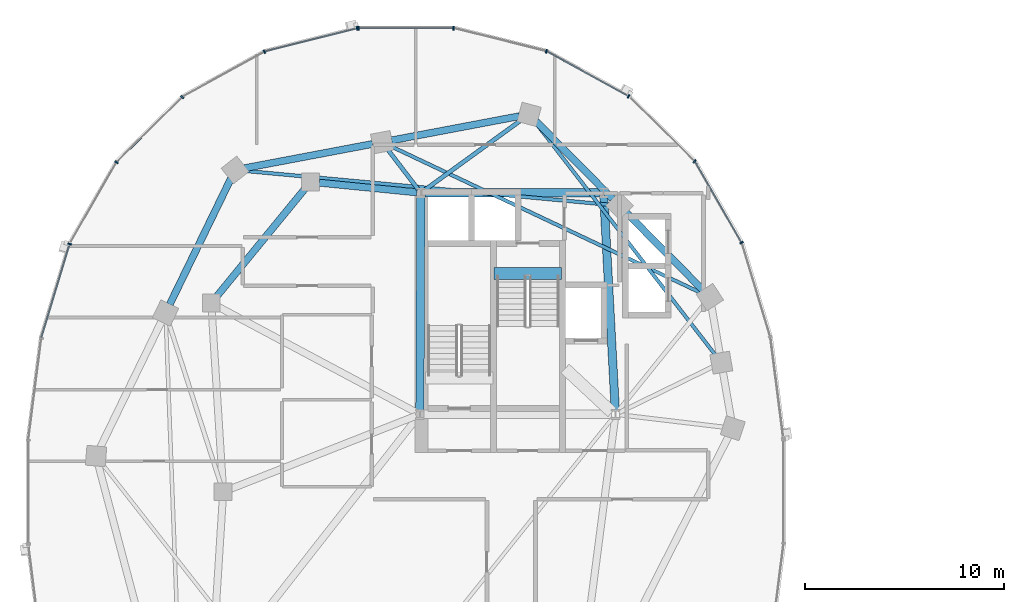
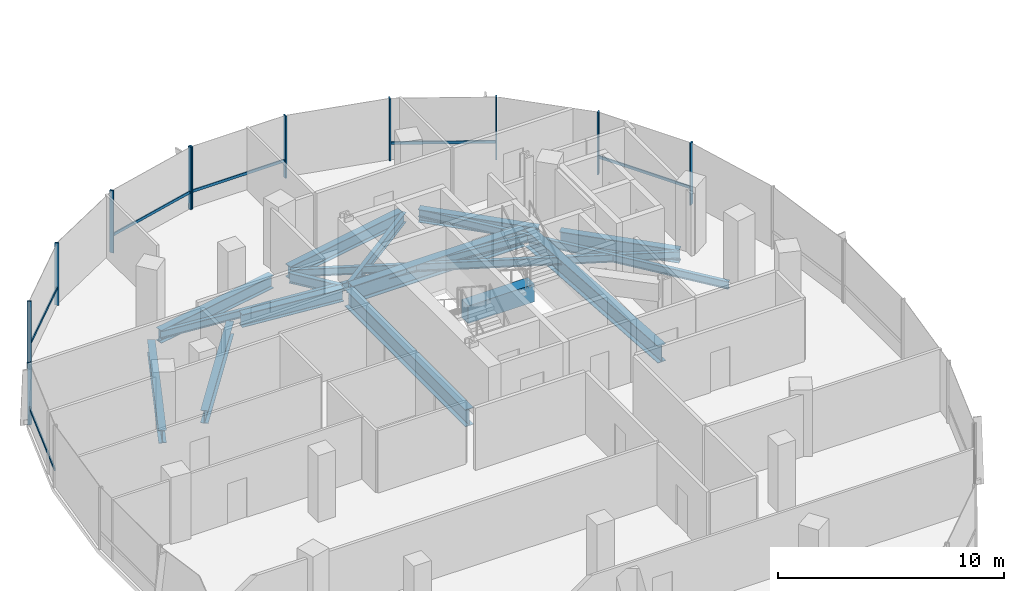
# One storey, part 5 of 23: 17 members, 16 beams, 2 elements without a shape of their own.
"""IFC4 building model written with IfcOpenShell, lengths in metres."""

from ifc_helpers import new_model, si_unit, direction, frame, origin, origin_2d, place, context, subcontext, project, spatial, rectangle, i_section, extrude, material, material_profile, profile_set, type_object, element, aggregate, save


model = new_model("IFC4")

# Units and contexts
model_context = context("Model", 3, precision=1e-05, world=origin(), true_north=direction((0.0, 1.0)))
body_context = subcontext(model_context, "Body", "Model", "MODEL_VIEW")
ifc_project = project(units=[si_unit("LENGTHUNIT", "METRE"), si_unit("AREAUNIT", "SQUARE_METRE"), si_unit("VOLUMEUNIT", "CUBIC_METRE"), si_unit("PLANEANGLEUNIT", "RADIAN"), si_unit("MASSUNIT", "GRAM", prefix="KILO"), si_unit("THERMODYNAMICTEMPERATUREUNIT", "KELVIN"), si_unit("POWERUNIT", "WATT")], contexts=[model_context])

# Site, building, storey
site_placement = place(None, origin())
site = spatial("IfcSite", under=ifc_project, at=site_placement, CompositionType="ELEMENT")
building_placement = place(site_placement, origin())
building = spatial("IfcBuilding", under=site, at=building_placement, Name="Cundina Bronze Exchange", CompositionType="ELEMENT")
storey_placement = place(building_placement, frame((0.0, 0.0, 169.199951171875)))
storey = spatial("IfcBuildingStorey", under=building, at=storey_placement, Name="L44", CompositionType="ELEMENT", Elevation=169.199951171875)

# Beams
ifc_material_1 = material(Name="Concrete C60/75", Category="concrete")
ifc_material_profile_1 = material_profile(ifc_material_1, rectangle(XDim=0.60009765625, YDim=0.949951171875, at=origin_2d()), Name="RC600X950", Category="concrete")
ifc_profile_set_1 = profile_set([ifc_material_profile_1], Name="Concrete C60/75")
beam_type_1 = type_object("IfcBeamType", Name="BM-COUP-RC950", PredefinedType="LINTEL", material=ifc_profile_set_1)
beam_1_placement = place(storey_placement, frame((-27.56005859375, 10.97998046875, -0.474853515625), z_axis=(1.0, 0.0, 0.0), x_axis=(0.0, 1.0, 0.0)))
element("IfcBeam", 1, at=beam_1_placement, inside=storey, type_object=beam_type_1, Name="L44 Stair W2 Landing Header Beam", PredefinedType="LINTEL", context=body_context, shape_type="SweptSolid", body=[
    extrude(rectangle(XDim=0.60009765625, YDim=0.949951171875, at=origin_2d()), origin(), (0.0, 0.0, 1.0), 3.400146484375),
])
ifc_material_2 = material(Name="Steel ASTM A992 Grade 50", Category="steel")
ifc_material_profile_2 = material_profile(ifc_material_2, i_section(OverallWidth=0.2119140625, OverallDepth=0.5439453125, WebThickness=0.01318359375, FlangeThickness=0.021240234375, FilletRadius=0.013916015625, at=origin_2d()), Name="W21X83", Category="steel")
ifc_profile_set_2 = profile_set([ifc_material_profile_2], Name="Steel ASTM A992 Grade 50")
beam_type_2 = type_object("IfcBeamType", Name="BM-FLR-W21A", PredefinedType="BEAM", material=ifc_profile_set_2)
beam_2_placement = place(storey_placement, frame((-31.084716796875, 15.169677734375, -0.511962890625), z_axis=(0.809693047063, 0.586853618492, 0.0), x_axis=(-0.586853618492, 0.809693047063, 0.0)))
element("IfcBeam", 2, at=beam_2_placement, inside=storey, type_object=beam_type_2, Name="L44 Leg W Radial Floor Beam 04", PredefinedType="BEAM", context=body_context, shape_type="SweptSolid", body=[
    extrude(i_section(OverallWidth=0.2119140625, OverallDepth=0.5439453125, WebThickness=0.01318359375, FlangeThickness=0.021240234375, FilletRadius=0.013916015625, at=origin_2d()), origin(), (0.0, 0.0, 1.0), 6.038818359375),
])
beam_3_placement = place(storey_placement, frame((-31.373779296875, 15.2119140625, -0.511962890625), z_axis=(-0.607450107571, 0.794357832977, 0.0), x_axis=(-0.794357832977, -0.607450107571, 0.0)))
element("IfcBeam", 3, at=beam_3_placement, inside=storey, type_object=beam_type_2, Name="L44 Leg W Radial Floor Beam 05", PredefinedType="BEAM", context=body_context, shape_type="SweptSolid", body=[
    extrude(i_section(OverallWidth=0.2119140625, OverallDepth=0.5439453125, WebThickness=0.01318359375, FlangeThickness=0.021240234375, FilletRadius=0.013916015625, at=origin_2d()), origin(), (0.0, 0.0, 1.0), 2.518310546875),
])
ifc_material_profile_3 = material_profile(ifc_material_2, i_section(OverallWidth=0.178955078125, OverallDepth=0.409912109375, WebThickness=0.0087890625, FlangeThickness=0.014404296875, FilletRadius=0.010986328125, at=origin_2d()), Name="W16X45", Category="steel")
ifc_profile_set_3 = profile_set([ifc_material_profile_3], Name="Steel ASTM A992 Grade 50")
beam_type_3 = type_object("IfcBeamType", Name="BM-JST-W16", PredefinedType="JOIST", material=ifc_profile_set_3)
beam_4_placement = place(storey_placement, frame((-16.423583984375, 6.885986328125, -0.445068359375), z_axis=(-0.61208354334, 0.790793105668, 0.0), x_axis=(-0.790793105668, -0.61208354334, 0.0)))
element("IfcBeam", 4, at=beam_4_placement, inside=storey, type_object=beam_type_3, Name="L44 Leg W Lobe Floor Joist 01-04", PredefinedType="JOIST", context=body_context, shape_type="SweptSolid", body=[
    extrude(i_section(OverallWidth=0.178955078125, OverallDepth=0.409912109375, WebThickness=0.0087890625, FlangeThickness=0.014404296875, FilletRadius=0.010986328125, at=origin_2d()), origin(), (0.0, 0.0, 1.0), 14.830810546875),
])
beam_5_placement = place(storey_placement, frame((-17.14111328125, 10.008544921875, -0.445068359375), z_axis=(-0.904074252188, 0.427375416385, 0.0), x_axis=(-0.427375416385, -0.904074252188, 0.0)))
element("IfcBeam", 5, at=beam_5_placement, inside=storey, type_object=beam_type_3, Name="L44 Leg W Lobe Floor Joist 02-05", PredefinedType="JOIST", context=body_context, shape_type="SweptSolid", body=[
    extrude(i_section(OverallWidth=0.178955078125, OverallDepth=0.409912109375, WebThickness=0.0087890625, FlangeThickness=0.014404296875, FilletRadius=0.010986328125, at=origin_2d()), origin(), (0.0, 0.0, 1.0), 17.274658203125),
])
beam_6_placement = place(storey_placement, frame((-21.73583984375, 14.4453125, -0.445068359375), z_axis=(-0.995701840093, 0.092616659595, 0.0), x_axis=(-0.092616659595, -0.995701840093, 0.0)))
element("IfcBeam", 6, at=beam_6_placement, inside=storey, type_object=beam_type_3, Name="L44 Leg W Lobe Floor Joist 03-06", PredefinedType="JOIST", context=body_context, shape_type="SweptSolid", body=[
    extrude(i_section(OverallWidth=0.178955078125, OverallDepth=0.409912109375, WebThickness=0.0087890625, FlangeThickness=0.014404296875, FilletRadius=0.010986328125, at=origin_2d()), origin(), (0.0, 0.0, 1.0), 18.45751953125),
])
ifc_material_profile_4 = material_profile(ifc_material_2, i_section(OverallWidth=0.35498046875, OverallDepth=0.695068359375, WebThickness=0.015380859375, FlangeThickness=0.02490234375, FilletRadius=0.01806640625, at=origin_2d()), Name="W27X146", Category="steel")
ifc_profile_set_4 = profile_set([ifc_material_profile_4], Name="Steel ASTM A992 Grade 50")
beam_type_4 = type_object("IfcBeamType", Name="BM-RING-W27", PredefinedType="USERDEFINED", material=ifc_profile_set_4)
beam_7_placement = place(storey_placement, frame((-31.452880859375, 15.070068359375, -0.58740234375), z_axis=(-0.995123020608, 0.098641643622, 0.0), x_axis=(-0.098641643622, -0.995123020608, 0.0)))
element("IfcBeam", 7, at=beam_7_placement, inside=storey, type_object=beam_type_4, Name="L44 W Inner Structural Ring Girder 01", ObjectType="GIRDER", PredefinedType="USERDEFINED", context=body_context, shape_type="SweptSolid", body=[
    extrude(i_section(OverallWidth=0.35498046875, OverallDepth=0.695068359375, WebThickness=0.015380859375, FlangeThickness=0.02490234375, FilletRadius=0.01806640625, at=origin_2d()), origin(), (0.0, 0.0, 1.0), 4.935302734375),
])
beam_8_placement = place(storey_placement, frame((-37.07763671875, 15.26123046875, -0.58740234375), z_axis=(-0.633912590175, -0.77340469873, 0.0), x_axis=(0.77340469873, -0.633912590175, 0.0)))
element("IfcBeam", 8, at=beam_8_placement, inside=storey, type_object=beam_type_4, Name="L44 W Inner Structural Ring Girder 02", ObjectType="GIRDER", PredefinedType="USERDEFINED", context=body_context, shape_type="SweptSolid", body=[
    extrude(i_section(OverallWidth=0.35498046875, OverallDepth=0.695068359375, WebThickness=0.015380859375, FlangeThickness=0.02490234375, FilletRadius=0.01806640625, at=origin_2d()), origin(), (0.0, 0.0, 1.0), 7.01123046875),
])
beam_9_placement = place(storey_placement, frame((-17.043212890625, 10.14697265625, -0.58740234375), z_axis=(-0.703230112979, 0.710962311378, 0.0), x_axis=(-0.710962311378, -0.703230112979, 0.0)))
element("IfcBeam", 9, at=beam_9_placement, inside=storey, type_object=beam_type_4, Name="L44 W Perimeter Ring Girder 02", ObjectType="GIRDER", PredefinedType="USERDEFINED", context=body_context, shape_type="SweptSolid", body=[
    extrude(i_section(OverallWidth=0.35498046875, OverallDepth=0.695068359375, WebThickness=0.015380859375, FlangeThickness=0.02490234375, FilletRadius=0.01806640625, at=origin_2d()), origin(), (0.0, 0.0, 1.0), 5.493896484375),
])
beam_10_placement = place(storey_placement, frame((-21.59326171875, 14.746826171875, -0.58740234375), z_axis=(-0.703207895705, 0.710984286337, 0.0), x_axis=(-0.710984286337, -0.703207895705, 0.0)))
element("IfcBeam", 10, at=beam_10_placement, inside=storey, type_object=beam_type_4, Name="L44 W Perimeter Ring Girder 03", ObjectType="GIRDER", PredefinedType="USERDEFINED", context=body_context, shape_type="SweptSolid", body=[
    extrude(i_section(OverallWidth=0.35498046875, OverallDepth=0.695068359375, WebThickness=0.015380859375, FlangeThickness=0.02490234375, FilletRadius=0.01806640625, at=origin_2d()), origin(), (0.0, 0.0, 1.0), 5.494140625),
])
beam_11_placement = place(storey_placement, frame((-26.279541015625, 18.9091796875, -0.58740234375), z_axis=(-0.982571532667, -0.185884865421, 0.0), x_axis=(0.185884865421, -0.982571532667, 0.0)))
element("IfcBeam", 11, at=beam_11_placement, inside=storey, type_object=beam_type_4, Name="L44 W Perimeter Ring Girder 04", ObjectType="GIRDER", PredefinedType="USERDEFINED", context=body_context, shape_type="SweptSolid", body=[
    extrude(i_section(OverallWidth=0.35498046875, OverallDepth=0.695068359375, WebThickness=0.015380859375, FlangeThickness=0.02490234375, FilletRadius=0.01806640625, at=origin_2d()), origin(), (0.0, 0.0, 1.0), 6.55517578125),
])
beam_12_placement = place(storey_placement, frame((-33.679443359375, 17.50927734375, -0.58740234375), z_axis=(-0.982572819495, -0.185878063226, 0.0), x_axis=(0.185878063226, -0.982572819495, 0.0)))
element("IfcBeam", 12, at=beam_12_placement, inside=storey, type_object=beam_type_4, Name="L44 W Perimeter Ring Girder 05", ObjectType="GIRDER", PredefinedType="USERDEFINED", context=body_context, shape_type="SweptSolid", body=[
    extrude(i_section(OverallWidth=0.35498046875, OverallDepth=0.695068359375, WebThickness=0.015380859375, FlangeThickness=0.02490234375, FilletRadius=0.01806640625, at=origin_2d()), origin(), (0.0, 0.0, 1.0), 6.555419921875),
])
beam_13_placement = place(storey_placement, frame((-40.8134765625, 15.760986328125, -0.58740234375), z_axis=(-0.437196998825, -0.89936576776, 0.0), x_axis=(0.89936576776, -0.437196998825, 0.0)))
element("IfcBeam", 13, at=beam_13_placement, inside=storey, type_object=beam_type_4, Name="L44 W Perimeter Ring Girder 06", ObjectType="GIRDER", PredefinedType="USERDEFINED", context=body_context, shape_type="SweptSolid", body=[
    extrude(i_section(OverallWidth=0.35498046875, OverallDepth=0.695068359375, WebThickness=0.015380859375, FlangeThickness=0.02490234375, FilletRadius=0.01806640625, at=origin_2d()), origin(), (0.0, 0.0, 1.0), 7.029541015625),
])
ifc_material_profile_5 = material_profile(ifc_material_2, i_section(OverallWidth=0.41796875, OverallDepth=0.927001953125, WebThickness=0.019287109375, FlangeThickness=0.031982421875, FilletRadius=0.02392578125, at=origin_2d()), Name="W36X231", Category="steel")
ifc_profile_set_5 = profile_set([ifc_material_profile_5], Name="Steel ASTM A992 Grade 50")
beam_type_5 = type_object("IfcBeamType", Name="BM-WRN-W36B", PredefinedType="USERDEFINED", material=ifc_profile_set_5)
beam_14_placement = place(storey_placement, frame((-21.4609375, 4.103759765625, -0.703369140625), z_axis=(-0.053739193498, 0.998555005537, 0.0), x_axis=(-0.998555005537, -0.053739193498, 0.0)))
element("IfcBeam", 14, at=beam_14_placement, inside=storey, type_object=beam_type_5, Name="L44 W Core Perimeter Tie Girder 2", ObjectType="GIRDER", PredefinedType="USERDEFINED", context=body_context, shape_type="SweptSolid", body=[
    extrude(i_section(OverallWidth=0.41796875, OverallDepth=0.927001953125, WebThickness=0.019287109375, FlangeThickness=0.031982421875, FilletRadius=0.02392578125, at=origin_2d()), origin(), (0.0, 0.0, 1.0), 10.758056640625),
])
beam_15_placement = place(storey_placement, frame((-22.25390625, 15.050048828125, -0.703369140625), z_axis=(-1.0, 0.0, 0.0), x_axis=(0.0, -1.0, 0.0)))
element("IfcBeam", 15, at=beam_15_placement, inside=storey, type_object=beam_type_5, Name="L44 W Core Perimeter Tie Girder 3", ObjectType="GIRDER", PredefinedType="USERDEFINED", context=body_context, shape_type="SweptSolid", body=[
    extrude(i_section(OverallWidth=0.41796875, OverallDepth=0.927001953125, WebThickness=0.019287109375, FlangeThickness=0.031982421875, FilletRadius=0.02392578125, at=origin_2d()), origin(), (0.0, 0.0, 1.0), 8.7919921875),
])
beam_16_placement = place(storey_placement, frame((-31.2509765625, 14.845947265625, -0.703369140625), z_axis=(-0.004477329608, -0.99998997671, 0.0), x_axis=(0.99998997671, -0.004477329608, 0.0)))
element("IfcBeam", 16, at=beam_16_placement, inside=storey, type_object=beam_type_5, Name="L44 W Core Perimeter Tie Girder 4", ObjectType="GIRDER", PredefinedType="USERDEFINED", context=body_context, shape_type="SweptSolid", body=[
    extrude(i_section(OverallWidth=0.41796875, OverallDepth=0.927001953125, WebThickness=0.019287109375, FlangeThickness=0.031982421875, FilletRadius=0.02392578125, at=origin_2d()), origin(), (0.0, 0.0, 1.0), 10.741943359375),
])

# Curtain wall, members
ifc_material_3 = material(Name="Anodised Bronze Aluminium 6063-T6", Category="aluminium")
curtain_wall_type = type_object("IfcCurtainWallType", Name="CWS-WST-PIN", PredefinedType="NOTDEFINED", material=ifc_material_3)
curtain_wall_1_placement = place(storey_placement, origin())
curtain_wall_1 = element("IfcCurtainWall", 17, at=curtain_wall_1_placement, inside=storey, type_object=curtain_wall_type, Name="L44 CW-04 Curtain Wall Run CWR-L44-W1", PredefinedType="NOTDEFINED")
ifc_material_profile_6 = material_profile(ifc_material_3, rectangle(XDim=0.070068359375, YDim=0.18994140625, at=origin_2d()), Name="AL70X190", Category="aluminium")
ifc_profile_set_6 = profile_set([ifc_material_profile_6], Name="Anodised Bronze Aluminium 6063-T6")
member_type_1 = type_object("IfcMemberType", Name="CWM-MUL-190", PredefinedType="MULLION", material=ifc_profile_set_6)
member_1_placement = place(storey_placement, frame((-15.10205078125, 12.541259765625, 0.0), z_axis=(0.0, 0.0, 1.0), x_axis=(-0.498487739754, 0.866896748936, 0.0)))
member_1 = element("IfcMember", 18, at=member_1_placement, type_object=member_type_1, Name="CW-04 Mullion 3", PredefinedType="MULLION", context=body_context, shape_type="SweptSolid", body=[
    extrude(rectangle(XDim=0.070068359375, YDim=0.18994140625, at=origin_2d()), origin(), (0.0, 0.0, 1.0), 3.360107421875),
])
member_2_placement = place(storey_placement, frame((-17.469482421875, 16.640380859375, 0.0), z_axis=(0.0, 0.0, 1.0), x_axis=(-0.712026045991, 0.702153052995, 0.0)))
member_2 = element("IfcMember", 19, at=member_2_placement, type_object=member_type_1, Name="CW-04 Mullion 4", PredefinedType="MULLION", context=body_context, shape_type="SweptSolid", body=[
    extrude(rectangle(XDim=0.070068359375, YDim=0.18994140625, at=origin_2d()), origin(), (0.0, 0.0, 1.0), 3.360107421875),
])
member_3_placement = place(storey_placement, frame((-20.79345703125, 19.906005859375, 0.0), z_axis=(0.0, 0.0, 1.0), x_axis=(-0.875885937035, 0.482518212408, 0.0)))
member_3 = element("IfcMember", 20, at=member_3_placement, type_object=member_type_1, Name="CW-04 Mullion 5", PredefinedType="MULLION", context=body_context, shape_type="SweptSolid", body=[
    extrude(rectangle(XDim=0.070068359375, YDim=0.18994140625, at=origin_2d()), origin(), (0.0, 0.0, 1.0), 3.360107421875),
])
member_4_placement = place(storey_placement, frame((-24.932373046875, 22.17626953125, 0.0), z_axis=(0.0, 0.0, 1.0), x_axis=(-0.970084240161, 0.242768546132, 0.0)))
member_4 = element("IfcMember", 21, at=member_4_placement, type_object=member_type_1, Name="CW-04 Mullion 6", PredefinedType="MULLION", context=body_context, shape_type="SweptSolid", body=[
    extrude(rectangle(XDim=0.070068359375, YDim=0.18994140625, at=origin_2d()), origin(), (0.0, 0.0, 1.0), 3.360107421875),
])
member_5_placement = place(storey_placement, frame((-29.60595703125, 23.3369140625, 0.0), z_axis=(0.0, 0.0, 1.0), x_axis=(-1.0, 0.0, 0.0)))
member_5 = element("IfcMember", 22, at=member_5_placement, type_object=member_type_1, Name="CW-04 Mullion 7", PredefinedType="MULLION", context=body_context, shape_type="SweptSolid", body=[
    extrude(rectangle(XDim=0.070068359375, YDim=0.18994140625, at=origin_2d()), origin(), (0.0, 0.0, 1.0), 3.360107421875),
])
member_6_placement = place(storey_placement, frame((-34.39404296875, 23.3369140625, 0.0), z_axis=(0.0, 0.0, 1.0), x_axis=(-1.0, 0.0, 0.0)))
member_6 = element("IfcMember", 23, at=member_6_placement, type_object=member_type_1, Name="CW-04 End Mullion", PredefinedType="MULLION", context=body_context, shape_type="SweptSolid", body=[
    extrude(rectangle(XDim=0.070068359375, YDim=0.18994140625, at=origin_2d()), origin(), (0.0, 0.0, 1.0), 3.360107421875),
])

curtain_wall_2_placement = place(storey_placement, origin())
curtain_wall_2 = element("IfcCurtainWall", 24, at=curtain_wall_2_placement, inside=storey, type_object=curtain_wall_type, Name="L44 CW-04 Curtain Wall Run CWR-L44-W2", PredefinedType="NOTDEFINED")
member_7_placement = place(storey_placement, frame((-34.462646484375, 23.32861328125, 0.0), z_axis=(0.0, 0.0, 1.0), x_axis=(-0.970084240161, -0.242768546132, 0.0)))
member_7 = element("IfcMember", 25, at=member_7_placement, type_object=member_type_1, Name="CW-04 Mullion 1", PredefinedType="MULLION", context=body_context, shape_type="SweptSolid", body=[
    extrude(rectangle(XDim=0.070068359375, YDim=0.18994140625, at=origin_2d()), origin(), (0.0, 0.0, 1.0), 3.360107421875),
])
member_8_placement = place(storey_placement, frame((-39.13037109375, 22.151611328125, 0.0), z_axis=(0.0, 0.0, 1.0), x_axis=(-0.875885937035, -0.482518212408, 0.0)))
member_8 = element("IfcMember", 26, at=member_8_placement, type_object=member_type_1, Name="CW-04 Mullion 2", PredefinedType="MULLION", context=body_context, shape_type="SweptSolid", body=[
    extrude(rectangle(XDim=0.070068359375, YDim=0.18994140625, at=origin_2d()), origin(), (0.0, 0.0, 1.0), 3.360107421875),
])
member_9_placement = place(storey_placement, frame((-43.259033203125, 19.86669921875, 0.0), z_axis=(0.0, 0.0, 1.0), x_axis=(-0.712026045991, -0.702153052995, 0.0)))
member_9 = element("IfcMember", 27, at=member_9_placement, type_object=member_type_1, Name="CW-04 Mullion 3", PredefinedType="MULLION", context=body_context, shape_type="SweptSolid", body=[
    extrude(rectangle(XDim=0.070068359375, YDim=0.18994140625, at=origin_2d()), origin(), (0.0, 0.0, 1.0), 3.360107421875),
])
member_10_placement = place(storey_placement, frame((-46.57080078125, 16.588134765625, 0.0), z_axis=(0.0, 0.0, 1.0), x_axis=(-0.498487739754, -0.866896748936, 0.0)))
member_10 = element("IfcMember", 28, at=member_10_placement, type_object=member_type_1, Name="CW-04 Mullion 4", PredefinedType="MULLION", context=body_context, shape_type="SweptSolid", body=[
    extrude(rectangle(XDim=0.070068359375, YDim=0.18994140625, at=origin_2d()), origin(), (0.0, 0.0, 1.0), 3.360107421875),
])
member_11_placement = place(storey_placement, frame((-48.92626953125, 12.4755859375, 0.0), z_axis=(0.0, 0.0, 1.0), x_axis=(-0.290034140915, -0.957016299288, 0.0)))
member_11 = element("IfcMember", 29, at=member_11_placement, type_object=member_type_1, Name="CW-04 Mullion 5", PredefinedType="MULLION", context=body_context, shape_type="SweptSolid", body=[
    extrude(rectangle(XDim=0.070068359375, YDim=0.18994140625, at=origin_2d()), origin(), (0.0, 0.0, 1.0), 3.360107421875),
])

# Member
ifc_material_profile_7 = material_profile(ifc_material_3, rectangle(XDim=0.06494140625, YDim=0.14990234375, at=origin_2d()), Name="AL65X150", Category="aluminium")
ifc_profile_set_7 = profile_set([ifc_material_profile_7], Name="Anodised Bronze Aluminium 6063-T6")
member_type_2 = type_object("IfcMemberType", Name="CWM-TRN-150", PredefinedType="USERDEFINED", material=ifc_profile_set_7)
member_12_placement = place(storey_placement, frame((-15.121337890625, 12.574462890625, 0.920166015625), z_axis=(-0.498479967047, 0.866901218394, 0.0), x_axis=(-0.866901218394, -0.498479967047, 0.0)))
member_12 = element("IfcMember", 30, at=member_12_placement, type_object=member_type_2, Name="CW-04 Spandrel Transom 3", ObjectType="TRANSOM", PredefinedType="USERDEFINED", context=body_context, shape_type="SweptSolid", body=[
    extrude(rectangle(XDim=0.06494140625, YDim=0.14990234375, at=origin_2d()), origin(), (0.0, 0.0, 1.0), 4.66845703125),
])

member_13_placement = place(storey_placement, frame((-20.8271484375, 19.924560546875, 0.920166015625), z_axis=(-0.875878981549, 0.482530838062, 0.0), x_axis=(-0.482530838062, -0.875878981549, 0.0)))
member_13 = element("IfcMember", 31, at=member_13_placement, type_object=member_type_2, Name="CW-04 Spandrel Transom 5", ObjectType="TRANSOM", PredefinedType="USERDEFINED", context=body_context, shape_type="SweptSolid", body=[
    extrude(rectangle(XDim=0.06494140625, YDim=0.14990234375, at=origin_2d()), origin(), (0.0, 0.0, 1.0), 4.65380859375),
])

member_14_placement = place(storey_placement, frame((-29.64453125, 23.3369140625, 0.920166015625), z_axis=(-1.0, 0.0, 0.0), x_axis=(0.0, -1.0, 0.0)))
member_14 = element("IfcMember", 32, at=member_14_placement, type_object=member_type_2, Name="CW-04 Spandrel Transom 7", ObjectType="TRANSOM", PredefinedType="USERDEFINED", context=body_context, shape_type="SweptSolid", body=[
    extrude(rectangle(XDim=0.06494140625, YDim=0.14990234375, at=origin_2d()), origin(), (0.0, 0.0, 1.0), 4.7109375),
])

aggregate(curtain_wall_1, [member_1, member_12, member_2, member_3, member_13, member_4, member_5, member_6, member_14])

member_15_placement = place(storey_placement, frame((-34.5, 23.319091796875, 0.920166015625), z_axis=(-0.970100130035, -0.242705042606, 0.0), x_axis=(0.242705042606, -0.970100130035, 0.0)))
member_15 = element("IfcMember", 33, at=member_15_placement, type_object=member_type_2, Name="CW-04 Spandrel Transom 1", ObjectType="TRANSOM", PredefinedType="USERDEFINED", context=body_context, shape_type="SweptSolid", body=[
    extrude(rectangle(XDim=0.06494140625, YDim=0.14990234375, at=origin_2d()), origin(), (0.0, 0.0, 1.0), 4.746826171875),
])

member_16_placement = place(storey_placement, frame((-43.28662109375, 19.839599609375, 0.920166015625), z_axis=(-0.712005023839, -0.702174370102, 0.0), x_axis=(0.702174370102, -0.712005023839, 0.0)))
member_16 = element("IfcMember", 34, at=member_16_placement, type_object=member_type_2, Name="CW-04 Spandrel Transom 3", ObjectType="TRANSOM", PredefinedType="USERDEFINED", context=body_context, shape_type="SweptSolid", body=[
    extrude(rectangle(XDim=0.06494140625, YDim=0.14990234375, at=origin_2d()), origin(), (0.0, 0.0, 1.0), 4.594482421875),
])

member_17_placement = place(storey_placement, frame((-48.937255859375, 12.43896484375, 0.920166015625), z_axis=(-0.290051855969, -0.957010930371, 0.0), x_axis=(0.957010930371, -0.290051855969, 0.0)))
member_17 = element("IfcMember", 35, at=member_17_placement, type_object=member_type_2, Name="CW-04 Spandrel Transom 5", ObjectType="TRANSOM", PredefinedType="USERDEFINED", context=body_context, shape_type="SweptSolid", body=[
    extrude(rectangle(XDim=0.06494140625, YDim=0.14990234375, at=origin_2d()), origin(), (0.0, 0.0, 1.0), 4.876953125),
])

aggregate(curtain_wall_2, [member_7, member_15, member_8, member_9, member_16, member_10, member_11, member_17])

save(model, "model.ifc")
